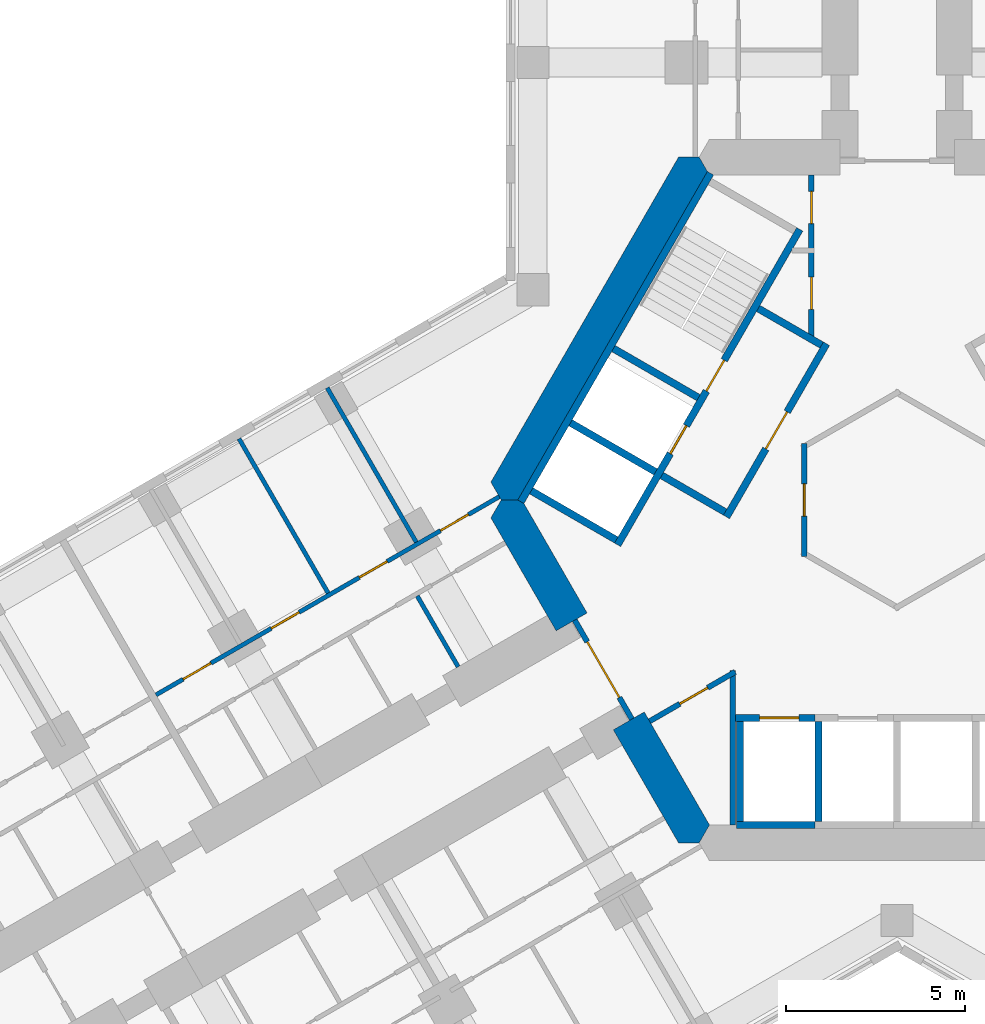
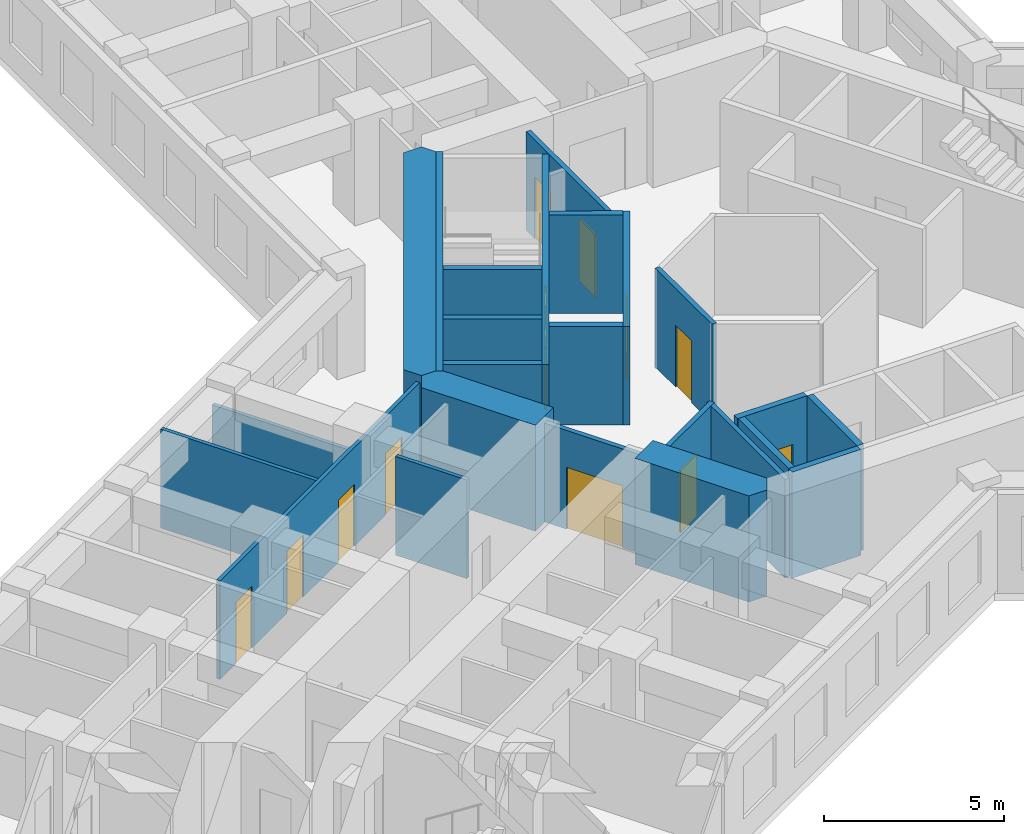
# One storey, part 13 of 22: 24 walls, 13 doors, 13 openings.
"""IFC4 building model written with IfcOpenShell, lengths in metres."""

from ifc_helpers import new_model, si_unit, direction, frame, frame_2d, origin, place, context, subcontext, project, spatial, polyline, rectangle, outline, extrude, material, layer, layer_set, type_object, element, fill, save


model = new_model("IFC4")

# Units and contexts
model_context = context("Model", 3, precision=1e-05, world=origin(), true_north=direction((0.0, 1.0)))
body_context = subcontext(model_context, "Body", "Model", "MODEL_VIEW")
ifc_project = project(units=[si_unit("LENGTHUNIT", "METRE"), si_unit("AREAUNIT", "SQUARE_METRE"), si_unit("VOLUMEUNIT", "CUBIC_METRE"), si_unit("PLANEANGLEUNIT", "RADIAN"), si_unit("MASSUNIT", "GRAM", prefix="KILO")], contexts=[model_context])

# Site, building, storey
site_placement = place(None, origin())
site = spatial("IfcSite", under=ifc_project, at=site_placement, CompositionType="ELEMENT")
building_placement = place(site_placement, origin())
building = spatial("IfcBuilding", under=site, at=building_placement, Name="Kosmar Iwan School Tower", CompositionType="ELEMENT")
storey_placement = place(building_placement, frame((0.0, 0.0, 95.199951171875)))
storey = spatial("IfcBuildingStorey", under=building, at=storey_placement, Name="L23", CompositionType="ELEMENT", Elevation=95.199951171875)

# Wall, openings, doors
ifc_material_1 = material(Name="Gypsum board on steel studs, fire-rated", Category="steel")
ifc_layer_1 = layer(ifc_material_1, 0.14990234375)
ifc_layer_set_1 = layer_set([ifc_layer_1], Name="Core room partition 150")
wall_type_1 = type_object("IfcWallType", Name="Core room partition 150", PredefinedType="PARTITIONING", material=ifc_layer_set_1)
wall_1_placement = place(storey_placement, frame((-2.39990234375, 9.094970703125, 0.0), z_axis=(0.0, 0.0, 1.0), x_axis=(0.0, -1.0, 0.0)))
wall_1 = element("IfcWall", 1, at=wall_1_placement, inside=storey, type_object=wall_type_1, Name="Core room partition L23-CW1", PredefinedType="PARTITIONING", context=body_context, shape_type="SweptSolid", body=[
    extrude(rectangle(XDim=4.564208984375, YDim=0.14990234375, at=frame_2d((2.2822265625, 0.0))), origin(), (0.0, 0.0, 1.0), 3.35009765625),
])
opening_1_placement = place(wall_1_placement, frame((0.455078125, 0.0, 0.0)))
opening_1 = element("IfcOpeningElement", 2, at=opening_1_placement, cuts=wall_1, Name="Opening D14", PredefinedType="OPENING", context=body_context, shape_type="SweptSolid", body=[
    extrude(rectangle(XDim=0.89990234375, YDim=2.10009765625, at=frame_2d((0.449951171875, 1.050048828125))), frame((0.0, 0.0869140625, 0.0), z_axis=(0.0, -1.0, 0.0), x_axis=(1.0, 0.0, 0.0)), (0.0, 0.0, 1.0), 0.173828125),
])
opening_2_placement = place(wall_1_placement, frame((2.85498046875, 0.0, 0.0)))
opening_2 = element("IfcOpeningElement", 3, at=opening_2_placement, cuts=wall_1, Name="Opening D14", PredefinedType="OPENING", context=body_context, shape_type="SweptSolid", body=[
    extrude(rectangle(XDim=0.89990234375, YDim=2.10009765625, at=frame_2d((0.449951171875, 1.050048828125))), frame((0.0, 0.0869140625, 0.0), z_axis=(0.0, -1.0, 0.0), x_axis=(1.0, 0.0, 0.0)), (0.0, 0.0, 1.0), 0.173828125),
])
ifc_material_2 = material(Name="Timber fire door in steel frame", Category="steel")
door_type_1 = type_object("IfcDoorType", Name="Core room door 900x2100", OperationType="SINGLE_SWING_LEFT", PredefinedType="DOOR", material=ifc_material_2)
door_1_placement = place(opening_1_placement, origin())
door_1 = element("IfcDoor", 4, at=door_1_placement, inside=storey, type_object=door_type_1, Name="Electrical riser and switch room door L23 1", OperationType="SINGLE_SWING_LEFT", OverallHeight=2.10009765625, OverallWidth=0.89990234375, PredefinedType="DOOR", context=body_context, shape_type="SweptSolid", body=[
    extrude(rectangle(XDim=0.89990234375, YDim=2.10009765625, at=frame_2d((0.449951171875, 1.050048828125))), frame((0.0, 0.02490234375, 0.0), z_axis=(0.0, -1.0, 0.0), x_axis=(1.0, 0.0, 0.0)), (0.0, 0.0, 1.0), 0.050048828125),
])
fill(opening_1, door_1)
door_2_placement = place(opening_2_placement, origin())
door_2 = element("IfcDoor", 5, at=door_2_placement, inside=storey, type_object=door_type_1, Name="Plumbing and wet riser door L23 2", OperationType="SINGLE_SWING_RIGHT", OverallHeight=2.10009765625, OverallWidth=0.89990234375, PredefinedType="DOOR", context=body_context, shape_type="SweptSolid", body=[
    extrude(rectangle(XDim=0.89990234375, YDim=2.10009765625, at=frame_2d((0.449951171875, 1.050048828125))), frame((0.0, 0.02490234375, 0.0), z_axis=(0.0, -1.0, 0.0), x_axis=(1.0, 0.0, 0.0)), (0.0, 0.0, 1.0), 0.050048828125),
])
fill(opening_2, door_2)

# Wall, opening, door
wall_2_placement = place(storey_placement, frame((-2.60009765625, -1.576171875, 0.0), z_axis=(0.0, 0.0, 1.0), x_axis=(0.0, 1.0, 0.0)))
wall_2 = element("IfcWall", 6, at=wall_2_placement, inside=storey, type_object=wall_type_1, Name="Core room partition L23-CW6", PredefinedType="PARTITIONING", context=body_context, shape_type="SweptSolid", body=[
    extrude(rectangle(XDim=3.15234375, YDim=0.14990234375, at=frame_2d((1.576171875, 0.0))), origin(), (0.0, 0.0, 1.0), 3.35009765625),
])
opening_3_placement = place(wall_2_placement, frame((1.1259765625, 0.0, 0.0)))
opening_3 = element("IfcOpeningElement", 7, at=opening_3_placement, cuts=wall_2, Name="Opening D14", PredefinedType="OPENING", context=body_context, shape_type="SweptSolid", body=[
    extrude(rectangle(XDim=0.89990234375, YDim=2.10009765625, at=frame_2d((0.449951171875, 1.050048828125))), frame((0.0, 0.0869140625, 0.0), z_axis=(0.0, -1.0, 0.0), x_axis=(1.0, 0.0, 0.0)), (0.0, 0.0, 1.0), 0.173828125),
])
door_3_placement = place(opening_3_placement, origin())
door_3 = element("IfcDoor", 8, at=door_3_placement, inside=storey, type_object=door_type_1, Name="Residents' laundry room door L23 3", OperationType="SINGLE_SWING_LEFT", OverallHeight=2.10009765625, OverallWidth=0.89990234375, PredefinedType="DOOR", context=body_context, shape_type="SweptSolid", body=[
    extrude(rectangle(XDim=0.89990234375, YDim=2.10009765625, at=frame_2d((0.449951171875, 1.050048828125))), frame((0.0, 0.02490234375, 0.0), z_axis=(0.0, -1.0, 0.0), x_axis=(1.0, 0.0, 0.0)), (0.0, 0.0, 1.0), 0.050048828125),
])
fill(opening_3, door_3)

wall_3_placement = place(storey_placement, frame((-6.930908203125, -6.195556640625, 0.0), z_axis=(0.0, 0.0, 1.0), x_axis=(0.866007755774, 0.500030566006, 0.0)))
wall_3 = element("IfcWall", 9, at=wall_3_placement, inside=storey, type_object=wall_type_1, Name="Core room partition L23-CW10", PredefinedType="PARTITIONING", context=body_context, shape_type="SweptSolid", body=[
    extrude(rectangle(XDim=2.766357421875, YDim=0.14990234375, at=frame_2d((1.38330078125, 0.0))), origin(), (0.0, 0.0, 1.0), 3.35009765625),
])
opening_4_placement = place(wall_3_placement, frame((0.97607421875, 0.0, 0.0)))
opening_4 = element("IfcOpeningElement", 10, at=opening_4_placement, cuts=wall_3, Name="Opening D14", PredefinedType="OPENING", context=body_context, shape_type="SweptSolid", body=[
    extrude(rectangle(XDim=0.89990234375, YDim=2.10009765625, at=frame_2d((0.449951171875, 1.050048828125))), frame((0.0, 0.0869140625, 0.0), z_axis=(0.0, -1.0, 0.0), x_axis=(1.0, 0.0, 0.0)), (0.0, 0.0, 1.0), 0.173828125),
])
door_4_placement = place(opening_4_placement, origin())
door_4 = element("IfcDoor", 11, at=door_4_placement, inside=storey, type_object=door_type_1, Name="Communications room door L23 4", OperationType="SINGLE_SWING_RIGHT", OverallHeight=2.10009765625, OverallWidth=0.89990234375, PredefinedType="DOOR", context=body_context, shape_type="SweptSolid", body=[
    extrude(rectangle(XDim=0.89990234375, YDim=2.10009765625, at=frame_2d((0.449951171875, 1.050048828125))), frame((0.0, 0.02490234375, 0.0), z_axis=(0.0, -1.0, 0.0), x_axis=(1.0, 0.0, 0.0)), (0.0, 0.0, 1.0), 0.050048828125),
])
fill(opening_4, door_4)

# Walls
wall_4_placement = place(storey_placement, frame((-4.60009765625, -4.774658203125, 0.0), z_axis=(0.0, 0.0, 1.0), x_axis=(0.0, -1.0, 0.0)))
element("IfcWall", 12, at=wall_4_placement, inside=storey, type_object=wall_type_1, Name="Core room partition L23-CW11", PredefinedType="PARTITIONING", context=body_context, shape_type="SweptSolid", body=[
    extrude(rectangle(XDim=4.3203125, YDim=0.14990234375, at=frame_2d((2.16015625, 0.0))), origin(), (0.0, 0.0, 1.0), 3.35009765625),
])
ifc_material_3 = material(Name="Concrete C50/60", Category="concrete")
ifc_layer_2 = layer(ifc_material_3, 1.0)
ifc_layer_set_2 = layer_set([ifc_layer_2], Name="Core wall 1000")
wall_type_2 = type_object("IfcWallType", Name="Core wall 1000", PredefinedType="SHEAR", material=ifc_layer_set_2)
wall_5_placement = place(storey_placement, origin())
element("IfcWall", 13, at=wall_5_placement, inside=storey, type_object=wall_type_2, Name="Core wall F150", PredefinedType="SHEAR", context=body_context, shape_type="SweptSolid", body=[
    extrude(outline(polyline([(-11.085205078125, 0.0), (-10.5078125, 0.0), (-5.25390625, 9.10009765625), (-5.54248046875, 9.60009765625), (-6.119873046875, 9.60009765625), (-11.373779296875, 0.5), (-11.085205078125, 0.0)])), origin(), (0.0, 0.0, 1.0), 3.60009765625),
])
wall_6_placement = place(storey_placement, origin())
element("IfcWall", 14, at=wall_6_placement, inside=storey, type_object=wall_type_2, Name="Core wall F210a", PredefinedType="SHEAR", context=body_context, shape_type="SweptSolid", body=[
    extrude(outline(polyline([(-9.546875, -3.664306640625), (-8.680908203125, -3.164306640625), (-10.5078125, 0.0), (-11.085205078125, 0.0), (-11.373779296875, -0.5), (-9.546875, -3.664306640625)])), origin(), (0.0, 0.0, 1.0), 3.60009765625),
])
wall_7_placement = place(storey_placement, origin())
element("IfcWall", 15, at=wall_7_placement, inside=storey, type_object=wall_type_2, Name="Core wall F210b", PredefinedType="SHEAR", context=body_context, shape_type="SweptSolid", body=[
    extrude(outline(polyline([(-6.119873046875, -9.60009765625), (-5.54248046875, -9.60009765625), (-5.25390625, -9.10009765625), (-7.080810546875, -5.935546875), (-7.94677734375, -6.435546875), (-6.119873046875, -9.60009765625)])), origin(), (0.0, 0.0, 1.0), 3.60009765625),
])

# Wall, opening, door
ifc_material_4 = material(Name="Steel framed glazed screen", Category="steel")
ifc_layer_3 = layer(ifc_material_4, 0.14990234375)
ifc_layer_set_3 = layer_set([ifc_layer_3], Name="Corridor screen wall 150")
wall_type_3 = type_object("IfcWallType", Name="Corridor screen wall 150", PredefinedType="PARTITIONING", material=ifc_layer_set_3)
wall_8_placement = place(storey_placement, frame((-9.02734375, -3.3642578125, 0.0), z_axis=(0.0, 0.0, 1.0), x_axis=(0.499995408039, -0.866028054938, 0.0)))
wall_8 = element("IfcWall", 16, at=wall_8_placement, inside=storey, type_object=wall_type_3, Name="Corridor screen B L23", PredefinedType="PARTITIONING", context=body_context, shape_type="SweptSolid", body=[
    extrude(rectangle(XDim=3.2001953125, YDim=0.14990234375, at=frame_2d((1.60009765625, 0.0))), origin(), (0.0, 0.0, 1.0), 3.35009765625),
])
opening_5_placement = place(wall_8_placement, frame((0.699951171875, 0.0, 0.0)))
opening_5 = element("IfcOpeningElement", 17, at=opening_5_placement, cuts=wall_8, Name="Opening D9", PredefinedType="OPENING", context=body_context, shape_type="SweptSolid", body=[
    extrude(rectangle(XDim=1.800048828125, YDim=2.10009765625, at=frame_2d((0.89990234375, 1.050048828125))), frame((0.0, 0.0869140625, 0.0), z_axis=(0.0, -1.0, 0.0), x_axis=(1.0, 0.0, 0.0)), (0.0, 0.0, 1.0), 0.173828125),
])
ifc_material_5 = material(Name="Steel framed glazed smoke door", Category="steel")
door_type_2 = type_object("IfcDoorType", Name="Corridor smoke door pair 1800x2100", OperationType="DOUBLE_DOOR_DOUBLE_SWING", PredefinedType="DOOR", material=ifc_material_5)
door_5_placement = place(opening_5_placement, origin())
door_5 = element("IfcDoor", 18, at=door_5_placement, inside=storey, type_object=door_type_2, Name="Corridor doors B L23", OperationType="DOUBLE_DOOR_DOUBLE_SWING", OverallHeight=2.10009765625, OverallWidth=1.800048828125, PredefinedType="DOOR", context=body_context, shape_type="SweptSolid", body=[
    extrude(rectangle(XDim=1.800048828125, YDim=2.10009765625, at=frame_2d((0.89990234375, 1.050048828125))), frame((0.0, 0.02490234375, 0.0), z_axis=(0.0, -1.0, 0.0), x_axis=(1.0, 0.0, 0.0)), (0.0, 0.0, 1.0), 0.050048828125),
])
fill(opening_5, door_5)

# Wall, openings, doors
ifc_material_6 = material(Name="Gypsum board on steel studs", Category="steel")
ifc_layer_4 = layer(ifc_material_6, 0.1201171875)
ifc_layer_set_4 = layer_set([ifc_layer_4], Name="Dwelling partition 120")
wall_type_4 = type_object("IfcWallType", Name="Dwelling partition 120", PredefinedType="PARTITIONING", material=ifc_layer_set_4)
wall_9_placement = place(storey_placement, frame((-11.138916015625, 0.093017578125, 0.0), z_axis=(0.0, 0.0, 1.0), x_axis=(-0.866021494144, -0.500006771635, 0.0)))
wall_9 = element("IfcWall", 19, at=wall_9_placement, inside=storey, type_object=wall_type_4, Name="Partition L23-BR1-W2", PredefinedType="PARTITIONING", context=body_context, shape_type="SweptSolid", body=[
    extrude(rectangle(XDim=11.099853515625, YDim=0.1201171875, at=frame_2d((5.5498046875, 0.0))), origin(), (0.0, 0.0, 1.0), 3.35009765625),
])
opening_6_placement = place(wall_9_placement, frame((1.0, 0.0, 0.0)))
opening_6 = element("IfcOpeningElement", 20, at=opening_6_placement, cuts=wall_9, Name="Opening D2", PredefinedType="OPENING", context=body_context, shape_type="SweptSolid", body=[
    extrude(rectangle(XDim=0.89990234375, YDim=2.10009765625, at=frame_2d((0.449951171875, 1.050048828125))), frame((0.0, 0.072021484375, 0.0), z_axis=(0.0, -1.0, 0.0), x_axis=(1.0, 0.0, 0.0)), (0.0, 0.0, 1.0), 0.14404296875),
])
opening_7_placement = place(wall_9_placement, frame((3.625, 0.0, 0.0)))
opening_7 = element("IfcOpeningElement", 21, at=opening_7_placement, cuts=wall_9, Name="Opening D2", PredefinedType="OPENING", context=body_context, shape_type="SweptSolid", body=[
    extrude(rectangle(XDim=0.89990234375, YDim=2.10009765625, at=frame_2d((0.449951171875, 1.050048828125))), frame((0.0, 0.072021484375, 0.0), z_axis=(0.0, -1.0, 0.0), x_axis=(1.0, 0.0, 0.0)), (0.0, 0.0, 1.0), 0.14404296875),
])
opening_8_placement = place(wall_9_placement, frame((6.47509765625, 0.0, 0.0)))
opening_8 = element("IfcOpeningElement", 22, at=opening_8_placement, cuts=wall_9, Name="Opening D2", PredefinedType="OPENING", context=body_context, shape_type="SweptSolid", body=[
    extrude(rectangle(XDim=0.89990234375, YDim=2.10009765625, at=frame_2d((0.449951171875, 1.050048828125))), frame((0.0, 0.072021484375, 0.0), z_axis=(0.0, -1.0, 0.0), x_axis=(1.0, 0.0, 0.0)), (0.0, 0.0, 1.0), 0.14404296875),
])
opening_9_placement = place(wall_9_placement, frame((9.324951171875, 0.0, 0.0)))
opening_9 = element("IfcOpeningElement", 23, at=opening_9_placement, cuts=wall_9, Name="Opening D2", PredefinedType="OPENING", context=body_context, shape_type="SweptSolid", body=[
    extrude(rectangle(XDim=0.89990234375, YDim=2.10009765625, at=frame_2d((0.449951171875, 1.050048828125))), frame((0.0, 0.072021484375, 0.0), z_axis=(0.0, -1.0, 0.0), x_axis=(1.0, 0.0, 0.0)), (0.0, 0.0, 1.0), 0.14404296875),
])
ifc_material_7 = material(Name="Timber door in timber frame", Category="wood")
door_type_3 = type_object("IfcDoorType", Name="Internal door 900x2100", OperationType="SINGLE_SWING_LEFT", PredefinedType="DOOR", material=ifc_material_7)
door_6_placement = place(opening_6_placement, origin())
door_6 = element("IfcDoor", 24, at=door_6_placement, inside=storey, type_object=door_type_3, Name="Living room and kitchen door L23-BR1-F1", OperationType="SINGLE_SWING_LEFT", OverallHeight=2.10009765625, OverallWidth=0.89990234375, PredefinedType="DOOR", context=body_context, shape_type="SweptSolid", body=[
    extrude(rectangle(XDim=0.89990234375, YDim=2.10009765625, at=frame_2d((0.449951171875, 1.050048828125))), frame((0.0, 0.02490234375, 0.0), z_axis=(0.0, -1.0, 0.0), x_axis=(1.0, 0.0, 0.0)), (0.0, 0.0, 1.0), 0.050048828125),
])
fill(opening_6, door_6)
door_7_placement = place(opening_7_placement, origin())
door_7 = element("IfcDoor", 25, at=door_7_placement, inside=storey, type_object=door_type_3, Name="Study door L23-BR1-F2", OperationType="SINGLE_SWING_LEFT", OverallHeight=2.10009765625, OverallWidth=0.89990234375, PredefinedType="DOOR", context=body_context, shape_type="SweptSolid", body=[
    extrude(rectangle(XDim=0.89990234375, YDim=2.10009765625, at=frame_2d((0.449951171875, 1.050048828125))), frame((0.0, 0.02490234375, 0.0), z_axis=(0.0, -1.0, 0.0), x_axis=(1.0, 0.0, 0.0)), (0.0, 0.0, 1.0), 0.050048828125),
])
fill(opening_7, door_7)
door_8_placement = place(opening_8_placement, origin())
door_8 = element("IfcDoor", 26, at=door_8_placement, inside=storey, type_object=door_type_3, Name="Winter garden door L23-BR1-F3", OperationType="SINGLE_SWING_RIGHT", OverallHeight=2.10009765625, OverallWidth=0.89990234375, PredefinedType="DOOR", context=body_context, shape_type="SweptSolid", body=[
    extrude(rectangle(XDim=0.89990234375, YDim=2.10009765625, at=frame_2d((0.449951171875, 1.050048828125))), frame((0.0, 0.02490234375, 0.0), z_axis=(0.0, -1.0, 0.0), x_axis=(1.0, 0.0, 0.0)), (0.0, 0.0, 1.0), 0.050048828125),
])
fill(opening_8, door_8)
door_9_placement = place(opening_9_placement, origin())
door_9 = element("IfcDoor", 27, at=door_9_placement, inside=storey, type_object=door_type_3, Name="Bedroom 1 door L23-BR1-F4", OperationType="SINGLE_SWING_RIGHT", OverallHeight=2.10009765625, OverallWidth=0.89990234375, PredefinedType="DOOR", context=body_context, shape_type="SweptSolid", body=[
    extrude(rectangle(XDim=0.89990234375, YDim=2.10009765625, at=frame_2d((0.449951171875, 1.050048828125))), frame((0.0, 0.02490234375, 0.0), z_axis=(0.0, -1.0, 0.0), x_axis=(1.0, 0.0, 0.0)), (0.0, 0.0, 1.0), 0.050048828125),
])
fill(opening_9, door_9)

# Walls
wall_10_placement = place(storey_placement, frame((-13.4638671875, -1.179931640625, 0.0), z_axis=(0.0, 0.0, 1.0), x_axis=(-0.499975153383, 0.86603974851, 0.0)))
element("IfcWall", 28, at=wall_10_placement, inside=storey, type_object=wall_type_4, Name="Partition L23-BR1-X1", PredefinedType="PARTITIONING", context=body_context, shape_type="SweptSolid", body=[
    extrude(rectangle(XDim=4.989990234375, YDim=0.1201171875, at=frame_2d((2.4951171875, 0.0))), origin(), (0.0, 0.0, 1.0), 2.449951171875),
])
wall_11_placement = place(storey_placement, frame((-15.931884765625, -2.60498046875, 0.0), z_axis=(0.0, 0.0, 1.0), x_axis=(-0.500011847778, 0.866018563358, 0.0)))
element("IfcWall", 29, at=wall_11_placement, inside=storey, type_object=wall_type_4, Name="Partition L23-BR1-X2", PredefinedType="PARTITIONING", context=body_context, shape_type="SweptSolid", body=[
    extrude(rectangle(XDim=4.990234375, YDim=0.1201171875, at=frame_2d((2.4951171875, 0.0))), origin(), (0.0, 0.0, 1.0), 3.35009765625),
])
wall_12_placement = place(storey_placement, frame((-12.291015625, -4.67138671875, 0.0), z_axis=(0.0, 0.0, 1.0), x_axis=(-0.500014693593, 0.866016920268, 0.0)))
element("IfcWall", 30, at=wall_12_placement, inside=storey, type_object=wall_type_4, Name="Partition L23-BR1-Y1", PredefinedType="PARTITIONING", context=body_context, shape_type="SweptSolid", body=[
    extrude(rectangle(XDim=2.2900390625, YDim=0.1201171875, at=frame_2d((1.14501953125, 0.0))), origin(), (0.0, 0.0, 1.0), 3.35009765625),
])

# Wall, opening, door
ifc_material_8 = material(Name="Concrete block masonry", Category="masonry")
ifc_layer_5 = layer(ifc_material_8, 0.199951171875)
ifc_layer_set_5 = layer_set([ifc_layer_5], Name="Fire lobby wall 200")
wall_type_5 = type_object("IfcWallType", Name="Fire lobby wall 200", PredefinedType="PARTITIONING", material=ifc_layer_set_5)
wall_13_placement = place(storey_placement, frame((-1.9775390625, 4.374755859375, 0.0), z_axis=(0.0, 0.0, 1.0), x_axis=(-0.500016814911, -0.866015695474, 0.0)))
wall_13 = element("IfcWall", 31, at=wall_13_placement, inside=storey, type_object=wall_type_5, Name="Firefighting lobby wall ST2", PredefinedType="PARTITIONING", context=body_context, shape_type="SweptSolid", body=[
    extrude(rectangle(XDim=5.599853515625, YDim=0.199951171875, at=frame_2d((2.7998046875, 0.0))), origin(), (0.0, 0.0, 1.0), 3.35009765625),
])
opening_10_placement = place(wall_13_placement, frame((2.199951171875, 0.0, 0.0)))
opening_10 = element("IfcOpeningElement", 32, at=opening_10_placement, cuts=wall_13, Name="Opening D7", PredefinedType="OPENING", context=body_context, shape_type="SweptSolid", body=[
    extrude(rectangle(XDim=1.199951171875, YDim=2.10009765625, at=frame_2d((0.60009765625, 1.050048828125))), frame((0.0, 0.112060546875, 0.0), z_axis=(0.0, -1.0, 0.0), x_axis=(1.0, 0.0, 0.0)), (0.0, 0.0, 1.0), 0.223876953125),
])
ifc_material_9 = material(Name="Steel fire door", Category="steel")
door_type_4 = type_object("IfcDoorType", Name="Fire lobby door 1200x2100", OperationType="SINGLE_SWING_LEFT", PredefinedType="DOOR", material=ifc_material_9)
door_10_placement = place(opening_10_placement, frame((1.199951171875, 0.0, 0.0), z_axis=(0.0, 0.0, 1.0), x_axis=(-1.0, 0.0, 0.0)))
door_10 = element("IfcDoor", 33, at=door_10_placement, inside=storey, type_object=door_type_4, Name="Firefighting lobby door ST2 L23", OperationType="SINGLE_SWING_LEFT", OverallHeight=2.10009765625, OverallWidth=1.199951171875, PredefinedType="DOOR", context=body_context, shape_type="SweptSolid", body=[
    extrude(rectangle(XDim=1.199951171875, YDim=2.10009765625, at=frame_2d((0.60009765625, 1.050048828125))), frame((0.0, 0.02490234375, 0.0), z_axis=(0.0, -1.0, 0.0), x_axis=(1.0, 0.0, 0.0)), (0.0, 0.0, 1.0), 0.050048828125),
])
fill(opening_10, door_10)

# Walls
wall_14_placement = place(storey_placement, frame((-2.114013671875, 4.33837890625, 0.0), z_axis=(0.0, 0.0, 1.0), x_axis=(-0.866050731258, 0.499956128963, 0.0)))
element("IfcWall", 34, at=wall_14_placement, inside=storey, type_object=wall_type_5, Name="Firefighting lobby wall ST2", PredefinedType="PARTITIONING", context=body_context, shape_type="SweptSolid", body=[
    extrude(rectangle(XDim=2.050048828125, YDim=0.199951171875, at=frame_2d((1.02490234375, 0.0))), origin(), (0.0, 0.0, 1.0), 3.35009765625),
])
wall_15_placement = place(storey_placement, frame((-4.814208984375, -0.33837890625, 0.0), z_axis=(0.0, 0.0, 1.0), x_axis=(-0.865969381856, 0.500097020274, 0.0)))
element("IfcWall", 35, at=wall_15_placement, inside=storey, type_object=wall_type_5, Name="Firefighting lobby wall ST2", PredefinedType="PARTITIONING", context=body_context, shape_type="SweptSolid", body=[
    extrude(rectangle(XDim=2.0498046875, YDim=0.199951171875, at=frame_2d((1.02490234375, 0.0))), origin(), (0.0, 0.0, 1.0), 3.35009765625),
])

# Wall, openings, doors
ifc_material_10 = material(Name="Concrete C50/60", Category="concrete")
ifc_layer_6 = layer(ifc_material_10, 0.199951171875)
ifc_layer_set_6 = layer_set([ifc_layer_6], Name="Lift shaft wall 200")
wall_type_6 = type_object("IfcWallType", Name="Lift shaft wall 200", PredefinedType="SHEAR", material=ifc_layer_set_6)
wall_16_placement = place(storey_placement, frame((-2.72607421875, 7.578369140625, 0.0), z_axis=(0.0, 0.0, 1.0), x_axis=(-0.500005610874, -0.86602216432, 0.0)))
wall_16 = element("IfcWall", 36, at=wall_16_placement, inside=storey, type_object=wall_type_6, Name="Lift and stair front wall AB", PredefinedType="SHEAR", context=body_context, shape_type="SweptSolid", body=[
    extrude(rectangle(XDim=10.2001953125, YDim=0.199951171875, at=frame_2d((5.10009765625, 0.0))), origin(), (0.0, 0.0, 1.0), 3.60009765625),
])
opening_11_placement = place(wall_16_placement, frame((6.35009765625, 0.0, 0.0)))
opening_11 = element("IfcOpeningElement", 37, at=opening_11_placement, cuts=wall_16, Name="Opening LD2", PredefinedType="OPENING", context=body_context, shape_type="SweptSolid", body=[
    extrude(rectangle(XDim=0.89990234375, YDim=2.10009765625, at=frame_2d((0.449951171875, 1.050048828125))), frame((0.0, 0.112060546875, 0.0), z_axis=(0.0, -1.0, 0.0), x_axis=(1.0, 0.0, 0.0)), (0.0, 0.0, 1.0), 0.223876953125),
])
opening_12_placement = place(wall_16_placement, frame((4.22998046875, 0.0, 0.0)))
opening_12 = element("IfcOpeningElement", 38, at=opening_12_placement, cuts=wall_16, Name="Opening D6", PredefinedType="OPENING", context=body_context, shape_type="SweptSolid", body=[
    extrude(rectangle(XDim=1.0, YDim=2.10009765625, at=frame_2d((0.5, 1.050048828125))), frame((0.0, 0.112060546875, 0.0), z_axis=(0.0, -1.0, 0.0), x_axis=(1.0, 0.0, 0.0)), (0.0, 0.0, 1.0), 0.223876953125),
])
ifc_material_11 = material(Name="Stainless steel sliding lift door", Category="steel")
door_type_5 = type_object("IfcDoorType", Name="Firefighting lift landing door 900x2100", OperationType="SLIDING_TO_LEFT", PredefinedType="DOOR", material=ifc_material_11)
door_11_placement = place(opening_11_placement, origin())
door_11 = element("IfcDoor", 39, at=door_11_placement, inside=storey, type_object=door_type_5, Name="Lift FF2 landing door L23", OperationType="SLIDING_TO_LEFT", OverallHeight=2.10009765625, OverallWidth=0.89990234375, PredefinedType="DOOR", context=body_context, shape_type="SweptSolid", body=[
    extrude(rectangle(XDim=0.89990234375, YDim=2.10009765625, at=frame_2d((0.449951171875, 1.050048828125))), frame((0.0, 0.02490234375, 0.0), z_axis=(0.0, -1.0, 0.0), x_axis=(1.0, 0.0, 0.0)), (0.0, 0.0, 1.0), 0.050048828125),
])
fill(opening_11, door_11)
ifc_material_12 = material(Name="Steel fire door", Category="steel")
door_type_6 = type_object("IfcDoorType", Name="Stair door 1000x2100", OperationType="SINGLE_SWING_LEFT", PredefinedType="DOOR", material=ifc_material_12)
door_12_placement = place(opening_12_placement, origin())
door_12 = element("IfcDoor", 40, at=door_12_placement, inside=storey, type_object=door_type_6, Name="Stair ST2 door L23", OperationType="SINGLE_SWING_LEFT", OverallHeight=2.10009765625, OverallWidth=1.0, PredefinedType="DOOR", context=body_context, shape_type="SweptSolid", body=[
    extrude(rectangle(XDim=1.0, YDim=2.10009765625, at=frame_2d((0.5, 1.050048828125))), frame((0.0, 0.02490234375, 0.0), z_axis=(0.0, -1.0, 0.0), x_axis=(1.0, 0.0, 0.0)), (0.0, 0.0, 1.0), 0.050048828125),
])
fill(opening_12, door_12)

# Walls
wall_17_placement = place(storey_placement, frame((-5.22509765625, 9.14990234375, 0.0), z_axis=(0.0, 0.0, 1.0), x_axis=(-0.499994998079, -0.866028291626, 0.0)))
element("IfcWall", 41, at=wall_17_placement, inside=storey, type_object=wall_type_6, Name="Lift and stair back wall AB", PredefinedType="SHEAR", context=body_context, shape_type="SweptSolid", body=[
    extrude(rectangle(XDim=10.623046875, YDim=0.199951171875, at=frame_2d((5.3115234375, 0.0))), origin(), (0.0, 0.0, 1.0), 3.60009765625),
])
for number, where, z_axis, x_axis, name in (
    (42, (-6.7626953125, 0.78662109375, 0.0), (0.0, 0.0, 1.0), (-0.866027397988, 0.499996545922, 0.0), "Lift shaft wall AB 1"),
    (43, (-7.862548828125, -1.118408203125, 0.0), (0.0, 0.0, 1.0), (-0.866027397988, 0.499996545922, 0.0), "Lift shaft wall AB 2"),
):
    element("IfcWall", number, at=place(storey_placement, frame(where, z_axis=z_axis, x_axis=x_axis)), inside=storey, type_object=wall_type_6, Name=name, PredefinedType="SHEAR", context=body_context, shape_type="SweptSolid", body=[
        extrude(rectangle(XDim=2.75, YDim=0.199951171875, at=frame_2d((1.375, 0.0))), origin(), (0.0, 0.0, 1.0), 3.60009765625),
    ])

# Wall, opening, door
wall_18_placement = place(storey_placement, frame((-4.52490234375, -6.10009765625, 0.0), z_axis=(0.0, 0.0, 1.0), x_axis=(1.0, 0.0, 0.0)))
wall_18 = element("IfcWall", 44, at=wall_18_placement, inside=storey, type_object=wall_type_6, Name="Lift and stair front wall BC", PredefinedType="SHEAR", context=body_context, shape_type="SweptSolid", body=[
    extrude(rectangle(XDim=2.224853515625, YDim=0.199951171875, at=frame_2d((1.1123046875, 0.0))), origin(), (0.0, 0.0, 1.0), 3.60009765625),
])
opening_13_placement = place(wall_18_placement, frame((0.675048828125, 0.0, 0.0)))
opening_13 = element("IfcOpeningElement", 45, at=opening_13_placement, cuts=wall_18, Name="Opening LD1", PredefinedType="OPENING", context=body_context, shape_type="SweptSolid", body=[
    extrude(rectangle(XDim=1.10009765625, YDim=2.10009765625, at=frame_2d((0.550048828125, 1.050048828125))), frame((0.0, 0.112060546875, 0.0), z_axis=(0.0, -1.0, 0.0), x_axis=(1.0, 0.0, 0.0)), (0.0, 0.0, 1.0), 0.223876953125),
])
ifc_material_13 = material(Name="Stainless steel sliding lift door", Category="steel")
door_type_7 = type_object("IfcDoorType", Name="Lift landing door 1100x2100", OperationType="SLIDING_TO_LEFT", PredefinedType="DOOR", material=ifc_material_13)
door_13_placement = place(opening_13_placement, origin())
door_13 = element("IfcDoor", 46, at=door_13_placement, inside=storey, type_object=door_type_7, Name="Lift PL1 landing door L23", OperationType="SLIDING_TO_LEFT", OverallHeight=2.10009765625, OverallWidth=1.10009765625, PredefinedType="DOOR", context=body_context, shape_type="SweptSolid", body=[
    extrude(rectangle(XDim=1.10009765625, YDim=2.10009765625, at=frame_2d((0.550048828125, 1.050048828125))), frame((0.0, 0.02490234375, 0.0), z_axis=(0.0, -1.0, 0.0), x_axis=(1.0, 0.0, 0.0)), (0.0, 0.0, 1.0), 0.050048828125),
])
fill(opening_13, door_13)

# Walls
wall_19_placement = place(storey_placement, frame((-4.5, -9.10009765625, 0.0), z_axis=(0.0, 0.0, 1.0), x_axis=(1.0, 0.0, 0.0)))
element("IfcWall", 47, at=wall_19_placement, inside=storey, type_object=wall_type_6, Name="Lift and stair back wall BC", PredefinedType="SHEAR", context=body_context, shape_type="SweptSolid", body=[
    extrude(rectangle(XDim=2.199951171875, YDim=0.199951171875, at=frame_2d((1.10009765625, 0.0))), origin(), (0.0, 0.0, 1.0), 3.60009765625),
])
for number, where, z_axis, x_axis, name in (
    (48, (-4.39990234375, -6.199951171875, 0.0), (0.0, 0.0, 1.0), (0.0, -1.0, 0.0), "Lift shaft wall BC 0"),
    (49, (-2.199951171875, -6.199951171875, 0.0), (0.0, 0.0, 1.0), (0.0, -1.0, 0.0), "Lift shaft wall BC 1"),
):
    element("IfcWall", number, at=place(storey_placement, frame(where, z_axis=z_axis, x_axis=x_axis)), inside=storey, type_object=wall_type_6, Name=name, PredefinedType="SHEAR", context=body_context, shape_type="SweptSolid", body=[
        extrude(rectangle(XDim=2.800048828125, YDim=0.199951171875, at=frame_2d((1.39990234375, 0.0))), origin(), (0.0, 0.0, 1.0), 3.60009765625),
    ])
ifc_material_14 = material(Name="Concrete C50/60", Category="concrete")
ifc_layer_7 = layer(ifc_material_14, 0.199951171875)
ifc_layer_set_7 = layer_set([ifc_layer_7], Name="Stair enclosure wall 200")
wall_type_7 = type_object("IfcWallType", Name="Stair enclosure wall 200", PredefinedType="SHEAR", material=ifc_layer_set_7)
wall_20_placement = place(storey_placement, frame((-5.562744140625, 2.865234375, 0.0), z_axis=(0.0, 0.0, 1.0), x_axis=(-0.866027397988, 0.499996545922, 0.0)))
element("IfcWall", 50, at=wall_20_placement, inside=storey, type_object=wall_type_7, Name="Stair ST2 wall", PredefinedType="SHEAR", context=body_context, shape_type="SweptSolid", body=[
    extrude(rectangle(XDim=2.75, YDim=0.199951171875, at=frame_2d((1.375, 0.0))), origin(), (0.0, 0.0, 1.0), 3.60009765625),
])

save(model, "model.ifc")
